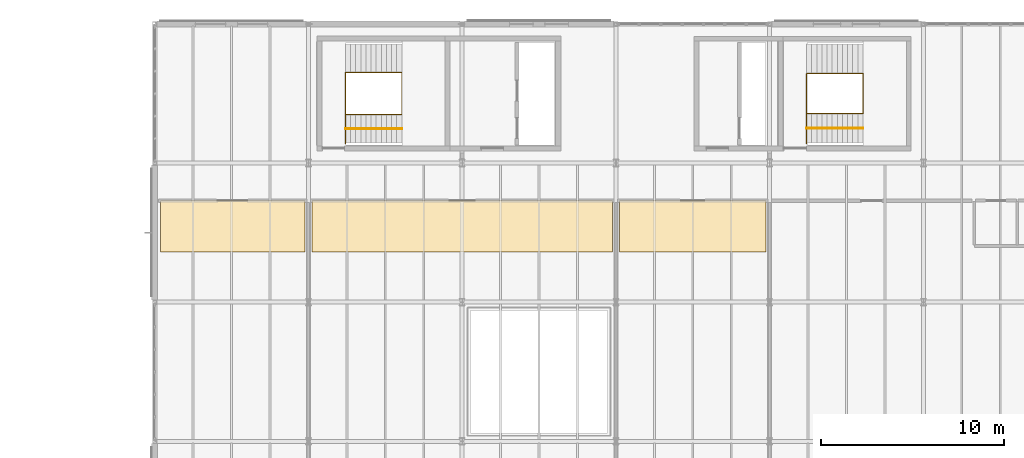
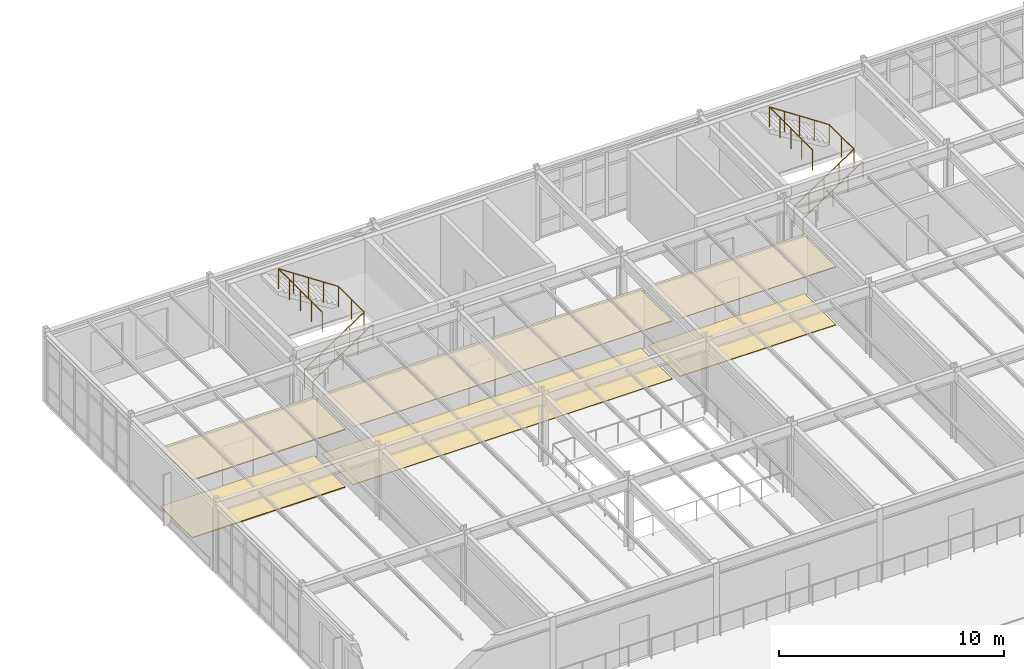
# One storey, part 110 of 114: 6 coverings, 4 railings.
"""IFC4 building model written with IfcOpenShell, lengths in metres."""

from ifc_helpers import new_model, si_unit, direction, frame, origin, origin_2d, place, context, subcontext, project, spatial, polyline, circle, outline, extrude, material, layer, layer_set, type_object, element, save


model = new_model("IFC4")

# Units and contexts
model_context = context("Model", 3, precision=1e-05, world=origin(), true_north=direction((0.0, 1.0)))
body_context = subcontext(model_context, "Body", "Model", "MODEL_VIEW")
ifc_project = project(units=[si_unit("LENGTHUNIT", "METRE"), si_unit("AREAUNIT", "SQUARE_METRE"), si_unit("VOLUMEUNIT", "CUBIC_METRE"), si_unit("PLANEANGLEUNIT", "RADIAN"), si_unit("MASSUNIT", "GRAM", prefix="KILO")], contexts=[model_context])

# Site, building, storey
site_placement = place(None, origin())
site = spatial("IfcSite", under=ifc_project, at=site_placement, CompositionType="ELEMENT")
building_placement = place(site_placement, origin())
building = spatial("IfcBuilding", under=site, at=building_placement, Name="Montecoro Central Library", CompositionType="ELEMENT")
storey_placement = place(building_placement, frame((0.0, 0.0, 13.260009765625)))
storey = spatial("IfcBuildingStorey", under=building, at=storey_placement, Name="L03", CompositionType="ELEMENT", Elevation=13.260009765625)

# Coverings
ifc_material_1 = material(Name="Acoustic perforated mineral ceiling")
ifc_layer_1 = layer(ifc_material_1, 0.02490234375)
ifc_layer_set_1 = layer_set([ifc_layer_1], Name="Acoustic perforated mineral ceiling")
covering_type_1 = type_object("IfcCoveringType", Name="COV-CLG-01", PredefinedType="CEILING", material=ifc_layer_set_1)
covering_1_placement = place(storey_placement, frame((0.0, 0.0, 3.155029296875)))
element("IfcCovering", 1, at=covering_1_placement, inside=storey, type_object=covering_type_1, Name="CLG-SP-V2-L03-R2P1", PredefinedType="CEILING", context=body_context, shape_type="SweptSolid", body=[
    extrude(outline(polyline([(74.989990234375, 106.550048828125), (91.409912109375, 106.550048828125), (91.409912109375, 109.35009765625), (74.989990234375, 109.35009765625), (74.989990234375, 106.550048828125)])), origin(), (0.0, 0.0, 1.0), 0.02490234375),
])
ifc_layer_2 = layer(ifc_material_1, 0.031982421875)
ifc_layer_set_2 = layer_set([ifc_layer_2], Name="Acoustic perforated mineral ceiling")
covering_type_2 = type_object("IfcCoveringType", Name="COV-CLG-02", PredefinedType="CEILING", material=ifc_layer_set_2)
covering_2_placement = place(storey_placement, frame((0.0, 0.0, 3.14794921875)))
element("IfcCovering", 2, at=covering_2_placement, inside=storey, type_object=covering_type_2, Name="CLG-SP-V2-L03-R3P1", PredefinedType="CEILING", context=body_context, shape_type="SweptSolid", body=[
    extrude(outline(polyline([(91.7900390625, 106.550048828125), (99.81005859375, 106.550048828125), (99.81005859375, 109.35009765625), (91.7900390625, 109.35009765625), (91.7900390625, 106.550048828125)])), origin(), (0.0, 0.0, 1.0), 0.031982421875),
])
ifc_layer_3 = layer(ifc_material_1, 0.048095703125)
ifc_layer_set_3 = layer_set([ifc_layer_3], Name="Acoustic perforated mineral ceiling")
covering_type_3 = type_object("IfcCoveringType", Name="COV-CLG-04", PredefinedType="CEILING", material=ifc_layer_set_3)
covering_3_placement = place(storey_placement, frame((0.0, 0.0, 3.132080078125)))
element("IfcCovering", 3, at=covering_3_placement, inside=storey, type_object=covering_type_3, Name="CLG-SP-V2-L03-R1P1", PredefinedType="CEILING", context=body_context, shape_type="SweptSolid", body=[
    extrude(outline(polyline([(66.719970703125, 106.550048828125), (74.610107421875, 106.550048828125), (74.610107421875, 109.35009765625), (66.719970703125, 109.35009765625), (66.719970703125, 106.550048828125)])), origin(), (0.0, 0.0, 1.0), 0.0478515625),
])
ifc_material_2 = material(Name="Neapolitan brass-inlaid terrazzo flooring")
ifc_layer_4 = layer(ifc_material_2, 0.028076171875)
ifc_layer_set_4 = layer_set([ifc_layer_4], Name="Neapolitan brass-inlaid terrazzo flooring")
covering_type_4 = type_object("IfcCoveringType", Name="COV-FLR-01", PredefinedType="FLOORING", material=ifc_layer_set_4)
covering_4_placement = place(storey_placement, origin())
element("IfcCovering", 4, at=covering_4_placement, inside=storey, type_object=covering_type_4, Name="FLR-SP-V2-L03-R2P1", PredefinedType="FLOORING", context=body_context, shape_type="SweptSolid", body=[
    extrude(outline(polyline([(74.989990234375, 106.550048828125), (91.409912109375, 106.550048828125), (91.409912109375, 109.35009765625), (74.989990234375, 109.35009765625), (74.989990234375, 106.550048828125)])), origin(), (0.0, 0.0, 1.0), 0.028076171875),
])
ifc_layer_5 = layer(ifc_material_2, 0.035888671875)
ifc_layer_set_5 = layer_set([ifc_layer_5], Name="Neapolitan brass-inlaid terrazzo flooring")
covering_type_5 = type_object("IfcCoveringType", Name="COV-FLR-02", PredefinedType="FLOORING", material=ifc_layer_set_5)
covering_5_placement = place(storey_placement, origin())
element("IfcCovering", 5, at=covering_5_placement, inside=storey, type_object=covering_type_5, Name="FLR-SP-V2-L03-R3P1", PredefinedType="FLOORING", context=body_context, shape_type="SweptSolid", body=[
    extrude(outline(polyline([(91.7900390625, 106.550048828125), (99.81005859375, 106.550048828125), (99.81005859375, 109.35009765625), (91.7900390625, 109.35009765625), (91.7900390625, 106.550048828125)])), origin(), (0.0, 0.0, 1.0), 0.035888671875),
])
ifc_layer_6 = layer(ifc_material_2, 0.052001953125)
ifc_layer_set_6 = layer_set([ifc_layer_6], Name="Neapolitan brass-inlaid terrazzo flooring")
covering_type_6 = type_object("IfcCoveringType", Name="COV-FLR-04", PredefinedType="FLOORING", material=ifc_layer_set_6)
covering_6_placement = place(storey_placement, origin())
element("IfcCovering", 6, at=covering_6_placement, inside=storey, type_object=covering_type_6, Name="FLR-SP-V2-L03-R1P1", PredefinedType="FLOORING", context=body_context, shape_type="SweptSolid", body=[
    extrude(outline(polyline([(66.719970703125, 106.550048828125), (74.610107421875, 106.550048828125), (74.610107421875, 109.35009765625), (66.719970703125, 109.35009765625), (66.719970703125, 106.550048828125)])), origin(), (0.0, 0.0, 1.0), 0.052001953125),
])

# Railings
ifc_material_3 = material(Name="Brushed stainless steel and bronze balustrade", Category="steel")
railing_type_1 = type_object("IfcRailingType", Name="GRD-INT-110", PredefinedType="GUARDRAIL", material=ifc_material_3)
railing_1_placement = place(storey_placement, frame((76.820068359375, 114.050048828125, 0.0)))
element("IfcRailing", 7, at=railing_1_placement, inside=storey, type_object=railing_type_1, Name="C2-L03-STR-GRD", PredefinedType="GUARDRAIL", context=body_context, shape_type="SweptSolid", body=[
    extrude(circle(Radius=0.02392578125, at=origin_2d()), frame((0.0, 0.0, 1.09619140625), z_axis=(0.833693729882, 0.0, 0.552227095275), x_axis=(0.0, 1.0, 0.0)), (0.0, 0.0, 1.0), 3.694091796875),
    extrude(circle(Radius=0.02392578125, at=origin_2d()), frame((3.079833984375, 0.0, 3.13623046875), z_axis=(0.0, 1.0, 0.0), x_axis=(-1.0, 0.0, 0.0)), (0.0, 0.0, 1.0), 2.300048828125),
    extrude(circle(Radius=0.02392578125, at=origin_2d()), frame((3.079833984375, 2.300048828125, 3.13623046875), z_axis=(-0.833693729882, 0.0, 0.552227095275), x_axis=(0.0, -1.0, 0.0)), (0.0, 0.0, 1.0), 3.694091796875),
    extrude(circle(Radius=0.02392578125, at=origin_2d()), frame((0.0, 2.300048828125, 5.17626953125), z_axis=(0.0, -1.0, 0.0), x_axis=(1.0, 0.0, 0.0)), (0.0, 0.0, 1.0), 3.900146484375),
    extrude(circle(Radius=0.02099609375, at=origin_2d()), origin(), (0.0, 0.0, 1.0), 1.072021484375),
    extrude(circle(Radius=0.02099609375, at=origin_2d()), frame((0.77001953125, 0.0, 0.510009765625)), (0.0, 0.0, 1.0), 1.072021484375),
    extrude(circle(Radius=0.02099609375, at=origin_2d()), frame((1.5400390625, 0.0, 1.02001953125)), (0.0, 0.0, 1.0), 1.072021484375),
    extrude(circle(Radius=0.02099609375, at=origin_2d()), frame((2.309814453125, 0.0, 1.530029296875)), (0.0, 0.0, 1.0), 1.072021484375),
    extrude(circle(Radius=0.02099609375, at=origin_2d()), frame((3.079833984375, 0.0, 2.0400390625)), (0.0, 0.0, 1.0), 1.072021484375),
    extrude(circle(Radius=0.02099609375, at=origin_2d()), frame((3.079833984375, 1.14990234375, 2.0400390625)), (0.0, 0.0, 1.0), 1.072021484375),
    extrude(circle(Radius=0.02099609375, at=origin_2d()), frame((3.079833984375, 2.300048828125, 2.0400390625)), (0.0, 0.0, 1.0), 1.072021484375),
    extrude(circle(Radius=0.02099609375, at=origin_2d()), frame((2.309814453125, 2.300048828125, 2.550048828125)), (0.0, 0.0, 1.0), 1.072021484375),
    extrude(circle(Radius=0.02099609375, at=origin_2d()), frame((1.5400390625, 2.300048828125, 3.06005859375)), (0.0, 0.0, 1.0), 1.072021484375),
    extrude(circle(Radius=0.02099609375, at=origin_2d()), frame((0.77001953125, 2.300048828125, 3.570068359375)), (0.0, 0.0, 1.0), 1.072021484375),
    extrude(circle(Radius=0.02099609375, at=origin_2d()), frame((0.0, 2.300048828125, 4.080078125)), (0.0, 0.0, 1.0), 1.072021484375),
    extrude(circle(Radius=0.02099609375, at=origin_2d()), frame((0.0, 1.324951171875, 4.080078125)), (0.0, 0.0, 1.0), 1.072021484375),
    extrude(circle(Radius=0.02099609375, at=origin_2d()), frame((0.0, 0.35009765625, 4.080078125)), (0.0, 0.0, 1.0), 1.072021484375),
    extrude(circle(Radius=0.02099609375, at=origin_2d()), frame((0.0, -0.625, 4.080078125)), (0.0, 0.0, 1.0), 1.072021484375),
    extrude(circle(Radius=0.02099609375, at=origin_2d()), frame((0.0, -1.60009765625, 4.080078125)), (0.0, 0.0, 1.0), 1.072021484375),
])
railing_2_placement = place(storey_placement, frame((102.02001953125, 114.10009765625, 0.0)))
element("IfcRailing", 8, at=railing_2_placement, inside=storey, type_object=railing_type_1, Name="C3-L03-STR-GRD", PredefinedType="GUARDRAIL", context=body_context, shape_type="SweptSolid", body=[
    extrude(circle(Radius=0.02392578125, at=origin_2d()), frame((0.0, 0.0, 1.09619140625), z_axis=(0.833713881912, 0.0, 0.552196670677), x_axis=(0.0, 1.0, 0.0)), (0.0, 0.0, 1.0), 3.6943359375),
    extrude(circle(Radius=0.02392578125, at=origin_2d()), frame((3.080078125, 0.0, 3.13623046875), z_axis=(0.0, 1.0, 0.0), x_axis=(-1.0, 0.0, 0.0)), (0.0, 0.0, 1.0), 2.199951171875),
    extrude(circle(Radius=0.02392578125, at=origin_2d()), frame((3.080078125, 2.199951171875, 3.13623046875), z_axis=(-0.833713881912, 0.0, 0.552196670677), x_axis=(0.0, -1.0, 0.0)), (0.0, 0.0, 1.0), 3.6943359375),
    extrude(circle(Radius=0.02392578125, at=origin_2d()), frame((0.0, 2.199951171875, 5.17626953125), z_axis=(0.0, -1.0, 0.0), x_axis=(1.0, 0.0, 0.0)), (0.0, 0.0, 1.0), 3.85009765625),
    extrude(circle(Radius=0.02099609375, at=origin_2d()), origin(), (0.0, 0.0, 1.0), 1.072021484375),
    extrude(circle(Radius=0.02099609375, at=origin_2d()), frame((0.77001953125, 0.0, 0.510009765625)), (0.0, 0.0, 1.0), 1.072021484375),
    extrude(circle(Radius=0.02099609375, at=origin_2d()), frame((1.5400390625, 0.0, 1.02001953125)), (0.0, 0.0, 1.0), 1.072021484375),
    extrude(circle(Radius=0.02099609375, at=origin_2d()), frame((2.31005859375, 0.0, 1.530029296875)), (0.0, 0.0, 1.0), 1.072021484375),
    extrude(circle(Radius=0.02099609375, at=origin_2d()), frame((3.080078125, 0.0, 2.0400390625)), (0.0, 0.0, 1.0), 1.072021484375),
    extrude(circle(Radius=0.02099609375, at=origin_2d()), frame((3.080078125, 1.10009765625, 2.0400390625)), (0.0, 0.0, 1.0), 1.072021484375),
    extrude(circle(Radius=0.02099609375, at=origin_2d()), frame((3.080078125, 2.199951171875, 2.0400390625)), (0.0, 0.0, 1.0), 1.072021484375),
    extrude(circle(Radius=0.02099609375, at=origin_2d()), frame((2.31005859375, 2.199951171875, 2.550048828125)), (0.0, 0.0, 1.0), 1.072021484375),
    extrude(circle(Radius=0.02099609375, at=origin_2d()), frame((1.5400390625, 2.199951171875, 3.06005859375)), (0.0, 0.0, 1.0), 1.072021484375),
    extrude(circle(Radius=0.02099609375, at=origin_2d()), frame((0.77001953125, 2.199951171875, 3.570068359375)), (0.0, 0.0, 1.0), 1.072021484375),
    extrude(circle(Radius=0.02099609375, at=origin_2d()), frame((0.0, 2.199951171875, 4.080078125)), (0.0, 0.0, 1.0), 1.072021484375),
    extrude(circle(Radius=0.02099609375, at=origin_2d()), frame((0.0, 1.2373046875, 4.080078125)), (0.0, 0.0, 1.0), 1.072021484375),
    extrude(circle(Radius=0.02099609375, at=origin_2d()), frame((0.0, 0.27490234375, 4.080078125)), (0.0, 0.0, 1.0), 1.072021484375),
    extrude(circle(Radius=0.02099609375, at=origin_2d()), frame((0.0, -0.6875, 4.080078125)), (0.0, 0.0, 1.0), 1.072021484375),
    extrude(circle(Radius=0.02099609375, at=origin_2d()), frame((0.0, -1.650146484375, 4.080078125)), (0.0, 0.0, 1.0), 1.072021484375),
])
ifc_material_4 = material(Name="Brushed architectural bronze handrail")
railing_type_2 = type_object("IfcRailingType", Name="HRL-STR-095", PredefinedType="HANDRAIL", material=ifc_material_4)
railing_3_placement = place(storey_placement, frame((76.820068359375, 113.27490234375, 0.0)))
element("IfcRailing", 9, at=railing_3_placement, inside=storey, type_object=railing_type_2, Name="C2-L03-STR-HR1", PredefinedType="HANDRAIL", context=body_context, shape_type="SweptSolid", body=[
    extrude(circle(Radius=0.02392578125, at=origin_2d()), frame((0.0, 0.0, 0.92578125), z_axis=(0.833693729882, 0.0, 0.552227095275), x_axis=(0.0, 1.0, 0.0)), (0.0, 0.0, 1.0), 3.694091796875),
    extrude(circle(Radius=0.02099609375, at=origin_2d()), origin(), (0.0, 0.0, 1.0), 0.90185546875),
    extrude(circle(Radius=0.02099609375, at=origin_2d()), frame((0.77001953125, 0.0, 0.510009765625)), (0.0, 0.0, 1.0), 0.90185546875),
    extrude(circle(Radius=0.02099609375, at=origin_2d()), frame((1.5400390625, 0.0, 1.02001953125)), (0.0, 0.0, 1.0), 0.90185546875),
    extrude(circle(Radius=0.02099609375, at=origin_2d()), frame((2.309814453125, 0.0, 1.530029296875)), (0.0, 0.0, 1.0), 0.90185546875),
    extrude(circle(Radius=0.02099609375, at=origin_2d()), frame((3.079833984375, 0.0, 2.0400390625)), (0.0, 0.0, 1.0), 0.90185546875),
])
railing_4_placement = place(storey_placement, frame((102.02001953125, 113.300048828125, 0.0)))
element("IfcRailing", 10, at=railing_4_placement, inside=storey, type_object=railing_type_2, Name="C3-L03-STR-HR1", PredefinedType="HANDRAIL", context=body_context, shape_type="SweptSolid", body=[
    extrude(circle(Radius=0.02392578125, at=origin_2d()), frame((0.0, 0.0, 0.92578125), z_axis=(0.833713881912, 0.0, 0.552196670677), x_axis=(0.0, 1.0, 0.0)), (0.0, 0.0, 1.0), 3.6943359375),
    extrude(circle(Radius=0.02099609375, at=origin_2d()), origin(), (0.0, 0.0, 1.0), 0.90185546875),
    extrude(circle(Radius=0.02099609375, at=origin_2d()), frame((0.77001953125, 0.0, 0.510009765625)), (0.0, 0.0, 1.0), 0.90185546875),
    extrude(circle(Radius=0.02099609375, at=origin_2d()), frame((1.5400390625, 0.0, 1.02001953125)), (0.0, 0.0, 1.0), 0.90185546875),
    extrude(circle(Radius=0.02099609375, at=origin_2d()), frame((2.31005859375, 0.0, 1.530029296875)), (0.0, 0.0, 1.0), 0.90185546875),
    extrude(circle(Radius=0.02099609375, at=origin_2d()), frame((3.080078125, 0.0, 2.0400390625)), (0.0, 0.0, 1.0), 0.90185546875),
])

save(model, "model.ifc")
